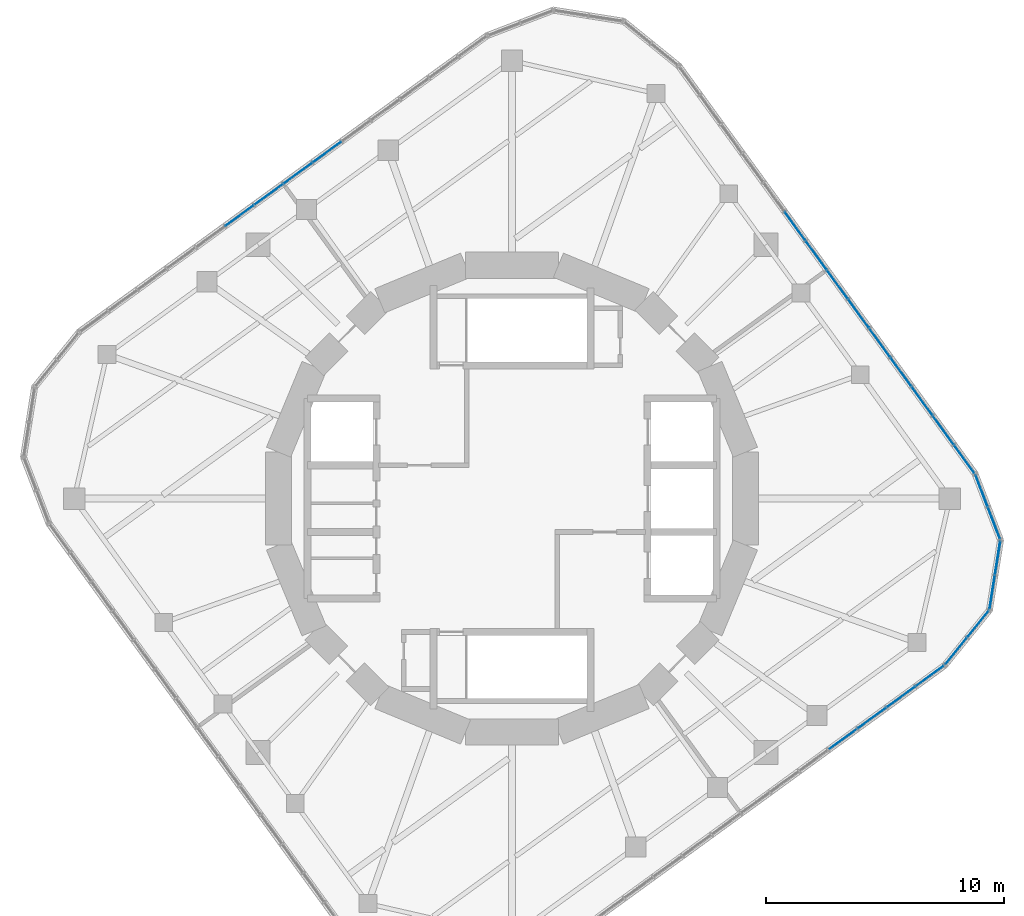
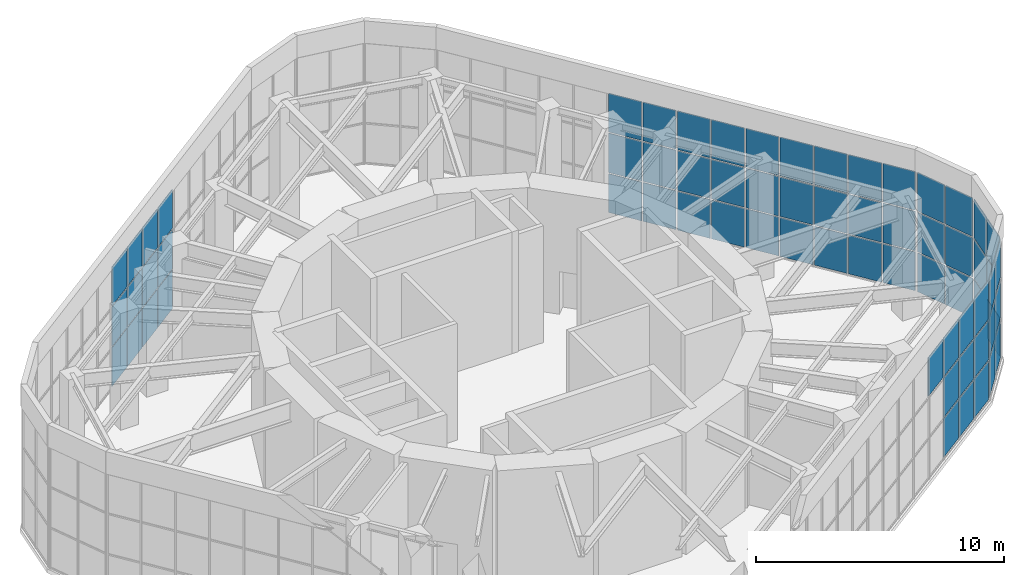
# One storey, part 13 of 17: 67 plates, 6 elements without a shape of their own.
"""IFC4 building model written with IfcOpenShell, lengths in metres."""

from ifc_helpers import new_model, si_unit, direction, frame, origin, origin_2d, place, context, subcontext, project, spatial, rectangle, extrude, material, layer, layer_set, type_object, element, aggregate, save


model = new_model("IFC4")

# Units and contexts
model_context = context("Model", 3, precision=1e-05, world=origin(), true_north=direction((0.0, 1.0)))
body_context = subcontext(model_context, "Body", "Model", "MODEL_VIEW")
ifc_project = project(units=[si_unit("LENGTHUNIT", "METRE"), si_unit("AREAUNIT", "SQUARE_METRE"), si_unit("VOLUMEUNIT", "CUBIC_METRE"), si_unit("PLANEANGLEUNIT", "RADIAN"), si_unit("MASSUNIT", "GRAM", prefix="KILO")], contexts=[model_context])

# Site, building, storey
site_placement = place(None, origin())
site = spatial("IfcSite", under=ifc_project, at=site_placement, CompositionType="ELEMENT")
building_placement = place(site_placement, origin())
building = spatial("IfcBuilding", under=site, at=building_placement, Name="Nakasero Lantern House", CompositionType="ELEMENT")
storey_placement = place(building_placement, frame((0.0, 0.0, 304.39990234375)))
storey = spatial("IfcBuildingStorey", under=building, at=storey_placement, Name="L74", CompositionType="ELEMENT", Elevation=304.39990234375)

# Curtain wall, plates
ifc_material_1 = material(Name="Aluminium 6063-T6 and glass", Category="aluminium")
curtain_wall_type = type_object("IfcCurtainWallType", Name="Lantern glazing CW-4", PredefinedType="USERDEFINED", material=ifc_material_1)
curtain_wall_1_placement = place(storey_placement, origin())
curtain_wall_1 = element("IfcCurtainWall", 1, at=curtain_wall_1_placement, inside=storey, type_object=curtain_wall_type, Name="Curtain wall CW-4 L74", ObjectType="UNITISED CURTAIN WALL", PredefinedType="USERDEFINED")
ifc_material_2 = material(Name="Glass", Category="glass")
ifc_layer = layer(ifc_material_2, 0.028076171875)
ifc_layer_set = layer_set([ifc_layer], Name="Glazed panel CW-4")
plate_type = type_object("IfcPlateType", Name="Glazed panel CW-4", PredefinedType="CURTAIN_PANEL", material=ifc_layer_set)
plate_1_placement = place(storey_placement, frame((19.004150390625, 1.659423828125, 0.06005859375), z_axis=(0.0, 0.0, 1.0), x_axis=(-0.587785252292, 0.809016994375, 0.0)))
plate_1 = element("IfcPlate", 2, at=plate_1_placement, type_object=plate_type, Name="CW-4 panel 1.1", PredefinedType="CURTAIN_PANEL", context=body_context, shape_type="SweptSolid", body=[
    extrude(rectangle(XDim=1.42431640625, YDim=0.028076171875, at=origin_2d()), origin(), (0.0, 0.0, 1.0), 1.909912109375),
])
plate_2_placement = place(storey_placement, frame((19.004150390625, 1.659423828125, 2.030029296875), z_axis=(0.0, 0.0, 1.0), x_axis=(-0.587785252292, 0.809016994375, 0.0)))
plate_2 = element("IfcPlate", 3, at=plate_2_placement, type_object=plate_type, Name="CW-4 panel 1.2", PredefinedType="CURTAIN_PANEL", context=body_context, shape_type="SweptSolid", body=[
    extrude(rectangle(XDim=1.42431640625, YDim=0.028076171875, at=origin_2d()), origin(), (0.0, 0.0, 1.0), 1.93994140625),
])
plate_3_placement = place(storey_placement, frame((19.004150390625, 1.659423828125, 4.0302734375), z_axis=(0.0, 0.0, 1.0), x_axis=(-0.587785252292, 0.809016994375, 0.0)))
plate_3 = element("IfcPlate", 4, at=plate_3_placement, type_object=plate_type, Name="CW-4 panel 1.3", PredefinedType="CURTAIN_PANEL", context=body_context, shape_type="SweptSolid", body=[
    extrude(rectangle(XDim=1.42431640625, YDim=0.028076171875, at=origin_2d()), origin(), (0.0, 0.0, 1.0), 1.909912109375),
])
plate_4_placement = place(storey_placement, frame((18.122802734375, 2.872314453125, 0.06005859375), z_axis=(0.0, 0.0, 1.0), x_axis=(-0.587785252292, 0.809016994375, 0.0)))
plate_4 = element("IfcPlate", 5, at=plate_4_placement, type_object=plate_type, Name="CW-4 panel 2.1", PredefinedType="CURTAIN_PANEL", context=body_context, shape_type="SweptSolid", body=[
    extrude(rectangle(XDim=1.454345703125, YDim=0.028076171875, at=origin_2d()), origin(), (0.0, 0.0, 1.0), 1.909912109375),
])
plate_5_placement = place(storey_placement, frame((18.122802734375, 2.872314453125, 2.030029296875), z_axis=(0.0, 0.0, 1.0), x_axis=(-0.587785252292, 0.809016994375, 0.0)))
plate_5 = element("IfcPlate", 6, at=plate_5_placement, type_object=plate_type, Name="CW-4 panel 2.2", PredefinedType="CURTAIN_PANEL", context=body_context, shape_type="SweptSolid", body=[
    extrude(rectangle(XDim=1.454345703125, YDim=0.028076171875, at=origin_2d()), origin(), (0.0, 0.0, 1.0), 1.93994140625),
])
plate_6_placement = place(storey_placement, frame((18.122802734375, 2.872314453125, 4.0302734375), z_axis=(0.0, 0.0, 1.0), x_axis=(-0.587785252292, 0.809016994375, 0.0)))
plate_6 = element("IfcPlate", 7, at=plate_6_placement, type_object=plate_type, Name="CW-4 panel 2.3", PredefinedType="CURTAIN_PANEL", context=body_context, shape_type="SweptSolid", body=[
    extrude(rectangle(XDim=1.454345703125, YDim=0.028076171875, at=origin_2d()), origin(), (0.0, 0.0, 1.0), 1.909912109375),
])
plate_7_placement = place(storey_placement, frame((17.232666015625, 4.097412109375, 0.06005859375), z_axis=(0.0, 0.0, 1.0), x_axis=(-0.587785252292, 0.809016994375, 0.0)))
plate_7 = element("IfcPlate", 8, at=plate_7_placement, type_object=plate_type, Name="CW-4 panel 3.1", PredefinedType="CURTAIN_PANEL", context=body_context, shape_type="SweptSolid", body=[
    extrude(rectangle(XDim=1.454345703125, YDim=0.028076171875, at=origin_2d()), origin(), (0.0, 0.0, 1.0), 1.909912109375),
])
plate_8_placement = place(storey_placement, frame((17.232666015625, 4.097412109375, 2.030029296875), z_axis=(0.0, 0.0, 1.0), x_axis=(-0.587785252292, 0.809016994375, 0.0)))
plate_8 = element("IfcPlate", 9, at=plate_8_placement, type_object=plate_type, Name="CW-4 panel 3.2", PredefinedType="CURTAIN_PANEL", context=body_context, shape_type="SweptSolid", body=[
    extrude(rectangle(XDim=1.454345703125, YDim=0.028076171875, at=origin_2d()), origin(), (0.0, 0.0, 1.0), 1.93994140625),
])
plate_9_placement = place(storey_placement, frame((17.232666015625, 4.097412109375, 4.0302734375), z_axis=(0.0, 0.0, 1.0), x_axis=(-0.587785252292, 0.809016994375, 0.0)))
plate_9 = element("IfcPlate", 10, at=plate_9_placement, type_object=plate_type, Name="CW-4 panel 3.3", PredefinedType="CURTAIN_PANEL", context=body_context, shape_type="SweptSolid", body=[
    extrude(rectangle(XDim=1.454345703125, YDim=0.028076171875, at=origin_2d()), origin(), (0.0, 0.0, 1.0), 1.909912109375),
])
plate_10_placement = place(storey_placement, frame((16.3427734375, 5.322509765625, 0.06005859375), z_axis=(0.0, 0.0, 1.0), x_axis=(-0.587785252292, 0.809016994375, 0.0)))
plate_10 = element("IfcPlate", 11, at=plate_10_placement, type_object=plate_type, Name="CW-4 panel 4.1", PredefinedType="CURTAIN_PANEL", context=body_context, shape_type="SweptSolid", body=[
    extrude(rectangle(XDim=1.454345703125, YDim=0.028076171875, at=origin_2d()), origin(), (0.0, 0.0, 1.0), 1.909912109375),
])
plate_11_placement = place(storey_placement, frame((16.3427734375, 5.322509765625, 2.030029296875), z_axis=(0.0, 0.0, 1.0), x_axis=(-0.587785252292, 0.809016994375, 0.0)))
plate_11 = element("IfcPlate", 12, at=plate_11_placement, type_object=plate_type, Name="CW-4 panel 4.2", PredefinedType="CURTAIN_PANEL", context=body_context, shape_type="SweptSolid", body=[
    extrude(rectangle(XDim=1.454345703125, YDim=0.028076171875, at=origin_2d()), origin(), (0.0, 0.0, 1.0), 1.93994140625),
])
plate_12_placement = place(storey_placement, frame((16.3427734375, 5.322509765625, 4.0302734375), z_axis=(0.0, 0.0, 1.0), x_axis=(-0.587785252292, 0.809016994375, 0.0)))
plate_12 = element("IfcPlate", 13, at=plate_12_placement, type_object=plate_type, Name="CW-4 panel 4.3", PredefinedType="CURTAIN_PANEL", context=body_context, shape_type="SweptSolid", body=[
    extrude(rectangle(XDim=1.454345703125, YDim=0.028076171875, at=origin_2d()), origin(), (0.0, 0.0, 1.0), 1.909912109375),
])
plate_13_placement = place(storey_placement, frame((15.45263671875, 6.547607421875, 0.06005859375), z_axis=(0.0, 0.0, 1.0), x_axis=(-0.587785252292, 0.809016994375, 0.0)))
plate_13 = element("IfcPlate", 14, at=plate_13_placement, type_object=plate_type, Name="CW-4 panel 5.1", PredefinedType="CURTAIN_PANEL", context=body_context, shape_type="SweptSolid", body=[
    extrude(rectangle(XDim=1.454345703125, YDim=0.028076171875, at=origin_2d()), origin(), (0.0, 0.0, 1.0), 1.909912109375),
])
plate_14_placement = place(storey_placement, frame((15.45263671875, 6.547607421875, 2.030029296875), z_axis=(0.0, 0.0, 1.0), x_axis=(-0.587785252292, 0.809016994375, 0.0)))
plate_14 = element("IfcPlate", 15, at=plate_14_placement, type_object=plate_type, Name="CW-4 panel 5.2", PredefinedType="CURTAIN_PANEL", context=body_context, shape_type="SweptSolid", body=[
    extrude(rectangle(XDim=1.454345703125, YDim=0.028076171875, at=origin_2d()), origin(), (0.0, 0.0, 1.0), 1.93994140625),
])
plate_15_placement = place(storey_placement, frame((15.45263671875, 6.547607421875, 4.0302734375), z_axis=(0.0, 0.0, 1.0), x_axis=(-0.587785252292, 0.809016994375, 0.0)))
plate_15 = element("IfcPlate", 16, at=plate_15_placement, type_object=plate_type, Name="CW-4 panel 5.3", PredefinedType="CURTAIN_PANEL", context=body_context, shape_type="SweptSolid", body=[
    extrude(rectangle(XDim=1.454345703125, YDim=0.028076171875, at=origin_2d()), origin(), (0.0, 0.0, 1.0), 1.909912109375),
])
plate_16_placement = place(storey_placement, frame((14.5625, 7.772705078125, 0.06005859375), z_axis=(0.0, 0.0, 1.0), x_axis=(-0.587785252292, 0.809016994375, 0.0)))
plate_16 = element("IfcPlate", 17, at=plate_16_placement, type_object=plate_type, Name="CW-4 panel 6.1", PredefinedType="CURTAIN_PANEL", context=body_context, shape_type="SweptSolid", body=[
    extrude(rectangle(XDim=1.454345703125, YDim=0.028076171875, at=origin_2d()), origin(), (0.0, 0.0, 1.0), 1.909912109375),
])
plate_17_placement = place(storey_placement, frame((14.5625, 7.772705078125, 2.030029296875), z_axis=(0.0, 0.0, 1.0), x_axis=(-0.587785252292, 0.809016994375, 0.0)))
plate_17 = element("IfcPlate", 18, at=plate_17_placement, type_object=plate_type, Name="CW-4 panel 6.2", PredefinedType="CURTAIN_PANEL", context=body_context, shape_type="SweptSolid", body=[
    extrude(rectangle(XDim=1.454345703125, YDim=0.028076171875, at=origin_2d()), origin(), (0.0, 0.0, 1.0), 1.93994140625),
])
plate_18_placement = place(storey_placement, frame((14.5625, 7.772705078125, 4.0302734375), z_axis=(0.0, 0.0, 1.0), x_axis=(-0.587785252292, 0.809016994375, 0.0)))
plate_18 = element("IfcPlate", 19, at=plate_18_placement, type_object=plate_type, Name="CW-4 panel 6.3", PredefinedType="CURTAIN_PANEL", context=body_context, shape_type="SweptSolid", body=[
    extrude(rectangle(XDim=1.454345703125, YDim=0.028076171875, at=origin_2d()), origin(), (0.0, 0.0, 1.0), 1.909912109375),
])
plate_19_placement = place(storey_placement, frame((13.67236328125, 8.997802734375, 0.06005859375), z_axis=(0.0, 0.0, 1.0), x_axis=(-0.587785252292, 0.809016994375, 0.0)))
plate_19 = element("IfcPlate", 20, at=plate_19_placement, type_object=plate_type, Name="CW-4 panel 7.1", PredefinedType="CURTAIN_PANEL", context=body_context, shape_type="SweptSolid", body=[
    extrude(rectangle(XDim=1.454345703125, YDim=0.028076171875, at=origin_2d()), origin(), (0.0, 0.0, 1.0), 1.909912109375),
])
plate_20_placement = place(storey_placement, frame((13.67236328125, 8.997802734375, 2.030029296875), z_axis=(0.0, 0.0, 1.0), x_axis=(-0.587785252292, 0.809016994375, 0.0)))
plate_20 = element("IfcPlate", 21, at=plate_20_placement, type_object=plate_type, Name="CW-4 panel 7.2", PredefinedType="CURTAIN_PANEL", context=body_context, shape_type="SweptSolid", body=[
    extrude(rectangle(XDim=1.454345703125, YDim=0.028076171875, at=origin_2d()), origin(), (0.0, 0.0, 1.0), 1.93994140625),
])
plate_21_placement = place(storey_placement, frame((13.67236328125, 8.997802734375, 4.0302734375), z_axis=(0.0, 0.0, 1.0), x_axis=(-0.587785252292, 0.809016994375, 0.0)))
plate_21 = element("IfcPlate", 22, at=plate_21_placement, type_object=plate_type, Name="CW-4 panel 7.3", PredefinedType="CURTAIN_PANEL", context=body_context, shape_type="SweptSolid", body=[
    extrude(rectangle(XDim=1.454345703125, YDim=0.028076171875, at=origin_2d()), origin(), (0.0, 0.0, 1.0), 1.909912109375),
])
plate_22_placement = place(storey_placement, frame((12.782470703125, 10.222900390625, 0.06005859375), z_axis=(0.0, 0.0, 1.0), x_axis=(-0.587785252292, 0.809016994375, 0.0)))
plate_22 = element("IfcPlate", 23, at=plate_22_placement, type_object=plate_type, Name="CW-4 panel 8.1", PredefinedType="CURTAIN_PANEL", context=body_context, shape_type="SweptSolid", body=[
    extrude(rectangle(XDim=1.454345703125, YDim=0.028076171875, at=origin_2d()), origin(), (0.0, 0.0, 1.0), 1.909912109375),
])
plate_23_placement = place(storey_placement, frame((12.782470703125, 10.222900390625, 2.030029296875), z_axis=(0.0, 0.0, 1.0), x_axis=(-0.587785252292, 0.809016994375, 0.0)))
plate_23 = element("IfcPlate", 24, at=plate_23_placement, type_object=plate_type, Name="CW-4 panel 8.2", PredefinedType="CURTAIN_PANEL", context=body_context, shape_type="SweptSolid", body=[
    extrude(rectangle(XDim=1.454345703125, YDim=0.028076171875, at=origin_2d()), origin(), (0.0, 0.0, 1.0), 1.93994140625),
])
plate_24_placement = place(storey_placement, frame((12.782470703125, 10.222900390625, 4.0302734375), z_axis=(0.0, 0.0, 1.0), x_axis=(-0.587785252292, 0.809016994375, 0.0)))
plate_24 = element("IfcPlate", 25, at=plate_24_placement, type_object=plate_type, Name="CW-4 panel 8.3", PredefinedType="CURTAIN_PANEL", context=body_context, shape_type="SweptSolid", body=[
    extrude(rectangle(XDim=1.454345703125, YDim=0.028076171875, at=origin_2d()), origin(), (0.0, 0.0, 1.0), 1.909912109375),
])
plate_25_placement = place(storey_placement, frame((11.892333984375, 11.447998046875, 0.06005859375), z_axis=(0.0, 0.0, 1.0), x_axis=(-0.587785252292, 0.809016994375, 0.0)))
plate_25 = element("IfcPlate", 26, at=plate_25_placement, type_object=plate_type, Name="CW-4 panel 9.1", PredefinedType="CURTAIN_PANEL", context=body_context, shape_type="SweptSolid", body=[
    extrude(rectangle(XDim=1.454345703125, YDim=0.028076171875, at=origin_2d()), origin(), (0.0, 0.0, 1.0), 1.909912109375),
])
plate_26_placement = place(storey_placement, frame((11.892333984375, 11.447998046875, 2.030029296875), z_axis=(0.0, 0.0, 1.0), x_axis=(-0.587785252292, 0.809016994375, 0.0)))
plate_26 = element("IfcPlate", 27, at=plate_26_placement, type_object=plate_type, Name="CW-4 panel 9.2", PredefinedType="CURTAIN_PANEL", context=body_context, shape_type="SweptSolid", body=[
    extrude(rectangle(XDim=1.454345703125, YDim=0.028076171875, at=origin_2d()), origin(), (0.0, 0.0, 1.0), 1.93994140625),
])
plate_27_placement = place(storey_placement, frame((11.892333984375, 11.447998046875, 4.0302734375), z_axis=(0.0, 0.0, 1.0), x_axis=(-0.587785252292, 0.809016994375, 0.0)))
plate_27 = element("IfcPlate", 28, at=plate_27_placement, type_object=plate_type, Name="CW-4 panel 9.3", PredefinedType="CURTAIN_PANEL", context=body_context, shape_type="SweptSolid", body=[
    extrude(rectangle(XDim=1.454345703125, YDim=0.028076171875, at=origin_2d()), origin(), (0.0, 0.0, 1.0), 1.909912109375),
])
aggregate(curtain_wall_1, [plate_1, plate_2, plate_3, plate_4, plate_5, plate_6, plate_7, plate_8, plate_9, plate_10, plate_11, plate_12, plate_13, plate_14, plate_15, plate_16, plate_17, plate_18, plate_19, plate_20, plate_21, plate_22, plate_23, plate_24, plate_25, plate_26, plate_27])

curtain_wall_2_placement = place(storey_placement, origin())
curtain_wall_2 = element("IfcCurtainWall", 29, at=curtain_wall_2_placement, inside=storey, type_object=curtain_wall_type, Name="Curtain wall CW-4 L74", ObjectType="UNITISED CURTAIN WALL", PredefinedType="USERDEFINED")
plate_28_placement = place(storey_placement, frame((-7.772705078125, 14.5625, 0.06005859375), z_axis=(0.0, 0.0, 1.0), x_axis=(-0.809016994375, -0.587785252292, 0.0)))
plate_28 = element("IfcPlate", 30, at=plate_28_placement, type_object=plate_type, Name="CW-4 panel 6.1", PredefinedType="CURTAIN_PANEL", context=body_context, shape_type="SweptSolid", body=[
    extrude(rectangle(XDim=1.454345703125, YDim=0.028076171875, at=origin_2d()), origin(), (0.0, 0.0, 1.0), 1.909912109375),
])
plate_29_placement = place(storey_placement, frame((-7.772705078125, 14.5625, 2.030029296875), z_axis=(0.0, 0.0, 1.0), x_axis=(-0.809016994375, -0.587785252292, 0.0)))
plate_29 = element("IfcPlate", 31, at=plate_29_placement, type_object=plate_type, Name="CW-4 panel 6.2", PredefinedType="CURTAIN_PANEL", context=body_context, shape_type="SweptSolid", body=[
    extrude(rectangle(XDim=1.454345703125, YDim=0.028076171875, at=origin_2d()), origin(), (0.0, 0.0, 1.0), 1.93994140625),
])
plate_30_placement = place(storey_placement, frame((-7.772705078125, 14.5625, 4.0302734375), z_axis=(0.0, 0.0, 1.0), x_axis=(-0.809016994375, -0.587785252292, 0.0)))
plate_30 = element("IfcPlate", 32, at=plate_30_placement, type_object=plate_type, Name="CW-4 panel 6.3", PredefinedType="CURTAIN_PANEL", context=body_context, shape_type="SweptSolid", body=[
    extrude(rectangle(XDim=1.454345703125, YDim=0.028076171875, at=origin_2d()), origin(), (0.0, 0.0, 1.0), 1.909912109375),
])
plate_31_placement = place(storey_placement, frame((-8.997802734375, 13.67236328125, 0.06005859375), z_axis=(0.0, 0.0, 1.0), x_axis=(-0.809016994375, -0.587785252292, 0.0)))
plate_31 = element("IfcPlate", 33, at=plate_31_placement, type_object=plate_type, Name="CW-4 panel 7.1", PredefinedType="CURTAIN_PANEL", context=body_context, shape_type="SweptSolid", body=[
    extrude(rectangle(XDim=1.454345703125, YDim=0.028076171875, at=origin_2d()), origin(), (0.0, 0.0, 1.0), 1.909912109375),
])
plate_32_placement = place(storey_placement, frame((-8.997802734375, 13.67236328125, 2.030029296875), z_axis=(0.0, 0.0, 1.0), x_axis=(-0.809016994375, -0.587785252292, 0.0)))
plate_32 = element("IfcPlate", 34, at=plate_32_placement, type_object=plate_type, Name="CW-4 panel 7.2", PredefinedType="CURTAIN_PANEL", context=body_context, shape_type="SweptSolid", body=[
    extrude(rectangle(XDim=1.454345703125, YDim=0.028076171875, at=origin_2d()), origin(), (0.0, 0.0, 1.0), 1.93994140625),
])
plate_33_placement = place(storey_placement, frame((-8.997802734375, 13.67236328125, 4.0302734375), z_axis=(0.0, 0.0, 1.0), x_axis=(-0.809016994375, -0.587785252292, 0.0)))
plate_33 = element("IfcPlate", 35, at=plate_33_placement, type_object=plate_type, Name="CW-4 panel 7.3", PredefinedType="CURTAIN_PANEL", context=body_context, shape_type="SweptSolid", body=[
    extrude(rectangle(XDim=1.454345703125, YDim=0.028076171875, at=origin_2d()), origin(), (0.0, 0.0, 1.0), 1.909912109375),
])
plate_34_placement = place(storey_placement, frame((-10.222900390625, 12.782470703125, 0.06005859375), z_axis=(0.0, 0.0, 1.0), x_axis=(-0.809016994375, -0.587785252292, 0.0)))
plate_34 = element("IfcPlate", 36, at=plate_34_placement, type_object=plate_type, Name="CW-4 panel 8.1", PredefinedType="CURTAIN_PANEL", context=body_context, shape_type="SweptSolid", body=[
    extrude(rectangle(XDim=1.454345703125, YDim=0.028076171875, at=origin_2d()), origin(), (0.0, 0.0, 1.0), 1.909912109375),
])
plate_35_placement = place(storey_placement, frame((-10.222900390625, 12.782470703125, 2.030029296875), z_axis=(0.0, 0.0, 1.0), x_axis=(-0.809016994375, -0.587785252292, 0.0)))
plate_35 = element("IfcPlate", 37, at=plate_35_placement, type_object=plate_type, Name="CW-4 panel 8.2", PredefinedType="CURTAIN_PANEL", context=body_context, shape_type="SweptSolid", body=[
    extrude(rectangle(XDim=1.454345703125, YDim=0.028076171875, at=origin_2d()), origin(), (0.0, 0.0, 1.0), 1.93994140625),
])
plate_36_placement = place(storey_placement, frame((-10.222900390625, 12.782470703125, 4.0302734375), z_axis=(0.0, 0.0, 1.0), x_axis=(-0.809016994375, -0.587785252292, 0.0)))
plate_36 = element("IfcPlate", 38, at=plate_36_placement, type_object=plate_type, Name="CW-4 panel 8.3", PredefinedType="CURTAIN_PANEL", context=body_context, shape_type="SweptSolid", body=[
    extrude(rectangle(XDim=1.454345703125, YDim=0.028076171875, at=origin_2d()), origin(), (0.0, 0.0, 1.0), 1.909912109375),
])
plate_37_placement = place(storey_placement, frame((-11.447998046875, 11.892333984375, 0.06005859375), z_axis=(0.0, 0.0, 1.0), x_axis=(-0.809016994375, -0.587785252292, 0.0)))
plate_37 = element("IfcPlate", 39, at=plate_37_placement, type_object=plate_type, Name="CW-4 panel 9.1", PredefinedType="CURTAIN_PANEL", context=body_context, shape_type="SweptSolid", body=[
    extrude(rectangle(XDim=1.454345703125, YDim=0.028076171875, at=origin_2d()), origin(), (0.0, 0.0, 1.0), 1.909912109375),
])
plate_38_placement = place(storey_placement, frame((-11.447998046875, 11.892333984375, 2.030029296875), z_axis=(0.0, 0.0, 1.0), x_axis=(-0.809016994375, -0.587785252292, 0.0)))
plate_38 = element("IfcPlate", 40, at=plate_38_placement, type_object=plate_type, Name="CW-4 panel 9.2", PredefinedType="CURTAIN_PANEL", context=body_context, shape_type="SweptSolid", body=[
    extrude(rectangle(XDim=1.454345703125, YDim=0.028076171875, at=origin_2d()), origin(), (0.0, 0.0, 1.0), 1.93994140625),
])
plate_39_placement = place(storey_placement, frame((-11.447998046875, 11.892333984375, 4.0302734375), z_axis=(0.0, 0.0, 1.0), x_axis=(-0.809016994375, -0.587785252292, 0.0)))
plate_39 = element("IfcPlate", 41, at=plate_39_placement, type_object=plate_type, Name="CW-4 panel 9.3", PredefinedType="CURTAIN_PANEL", context=body_context, shape_type="SweptSolid", body=[
    extrude(rectangle(XDim=1.454345703125, YDim=0.028076171875, at=origin_2d()), origin(), (0.0, 0.0, 1.0), 1.909912109375),
])
aggregate(curtain_wall_2, [plate_28, plate_29, plate_30, plate_31, plate_32, plate_33, plate_34, plate_35, plate_36, plate_37, plate_38, plate_39])

curtain_wall_3_placement = place(storey_placement, origin())
curtain_wall_3 = element("IfcCurtainWall", 42, at=curtain_wall_3_placement, inside=storey, type_object=curtain_wall_type, Name="Curtain wall CW-4 L74", ObjectType="UNITISED CURTAIN WALL", PredefinedType="USERDEFINED")
plate_40_placement = place(storey_placement, frame((13.898193359375, -10.112060546875, 4.0302734375), z_axis=(0.0, 0.0, 1.0), x_axis=(0.809016994375, 0.587785252292, 0.0)))
plate_40 = element("IfcPlate", 43, at=plate_40_placement, type_object=plate_type, Name="CW-4 panel 11.3", PredefinedType="CURTAIN_PANEL", context=body_context, shape_type="SweptSolid", body=[
    extrude(rectangle(XDim=1.454345703125, YDim=0.028076171875, at=origin_2d()), origin(), (0.0, 0.0, 1.0), 1.909912109375),
])
plate_41_placement = place(storey_placement, frame((15.123046875, -9.22216796875, 0.06005859375), z_axis=(0.0, 0.0, 1.0), x_axis=(0.809016994375, 0.587785252292, 0.0)))
plate_41 = element("IfcPlate", 44, at=plate_41_placement, type_object=plate_type, Name="CW-4 panel 12.1", PredefinedType="CURTAIN_PANEL", context=body_context, shape_type="SweptSolid", body=[
    extrude(rectangle(XDim=1.454345703125, YDim=0.028076171875, at=origin_2d()), origin(), (0.0, 0.0, 1.0), 1.909912109375),
])
plate_42_placement = place(storey_placement, frame((15.123046875, -9.22216796875, 2.030029296875), z_axis=(0.0, 0.0, 1.0), x_axis=(0.809016994375, 0.587785252292, 0.0)))
plate_42 = element("IfcPlate", 45, at=plate_42_placement, type_object=plate_type, Name="CW-4 panel 12.2", PredefinedType="CURTAIN_PANEL", context=body_context, shape_type="SweptSolid", body=[
    extrude(rectangle(XDim=1.454345703125, YDim=0.028076171875, at=origin_2d()), origin(), (0.0, 0.0, 1.0), 1.93994140625),
])
plate_43_placement = place(storey_placement, frame((15.123046875, -9.22216796875, 4.0302734375), z_axis=(0.0, 0.0, 1.0), x_axis=(0.809016994375, 0.587785252292, 0.0)))
plate_43 = element("IfcPlate", 46, at=plate_43_placement, type_object=plate_type, Name="CW-4 panel 12.3", PredefinedType="CURTAIN_PANEL", context=body_context, shape_type="SweptSolid", body=[
    extrude(rectangle(XDim=1.454345703125, YDim=0.028076171875, at=origin_2d()), origin(), (0.0, 0.0, 1.0), 1.909912109375),
])
plate_44_placement = place(storey_placement, frame((16.34814453125, -8.33203125, 0.06005859375), z_axis=(0.0, 0.0, 1.0), x_axis=(0.809016994375, 0.587785252292, 0.0)))
plate_44 = element("IfcPlate", 47, at=plate_44_placement, type_object=plate_type, Name="CW-4 panel 13.1", PredefinedType="CURTAIN_PANEL", context=body_context, shape_type="SweptSolid", body=[
    extrude(rectangle(XDim=1.454345703125, YDim=0.028076171875, at=origin_2d()), origin(), (0.0, 0.0, 1.0), 1.909912109375),
])
plate_45_placement = place(storey_placement, frame((16.34814453125, -8.33203125, 2.030029296875), z_axis=(0.0, 0.0, 1.0), x_axis=(0.809016994375, 0.587785252292, 0.0)))
plate_45 = element("IfcPlate", 48, at=plate_45_placement, type_object=plate_type, Name="CW-4 panel 13.2", PredefinedType="CURTAIN_PANEL", context=body_context, shape_type="SweptSolid", body=[
    extrude(rectangle(XDim=1.454345703125, YDim=0.028076171875, at=origin_2d()), origin(), (0.0, 0.0, 1.0), 1.93994140625),
])
plate_46_placement = place(storey_placement, frame((16.34814453125, -8.33203125, 4.0302734375), z_axis=(0.0, 0.0, 1.0), x_axis=(0.809016994375, 0.587785252292, 0.0)))
plate_46 = element("IfcPlate", 49, at=plate_46_placement, type_object=plate_type, Name="CW-4 panel 13.3", PredefinedType="CURTAIN_PANEL", context=body_context, shape_type="SweptSolid", body=[
    extrude(rectangle(XDim=1.454345703125, YDim=0.028076171875, at=origin_2d()), origin(), (0.0, 0.0, 1.0), 1.909912109375),
])
plate_47_placement = place(storey_placement, frame((17.561279296875, -7.45068359375, 0.06005859375), z_axis=(0.0, 0.0, 1.0), x_axis=(0.809016994375, 0.587785252292, 0.0)))
plate_47 = element("IfcPlate", 50, at=plate_47_placement, type_object=plate_type, Name="CW-4 panel 14.1", PredefinedType="CURTAIN_PANEL", context=body_context, shape_type="SweptSolid", body=[
    extrude(rectangle(XDim=1.42431640625, YDim=0.028076171875, at=origin_2d()), origin(), (0.0, 0.0, 1.0), 1.909912109375),
])
plate_48_placement = place(storey_placement, frame((17.561279296875, -7.45068359375, 2.030029296875), z_axis=(0.0, 0.0, 1.0), x_axis=(0.809016994375, 0.587785252292, 0.0)))
plate_48 = element("IfcPlate", 51, at=plate_48_placement, type_object=plate_type, Name="CW-4 panel 14.2", PredefinedType="CURTAIN_PANEL", context=body_context, shape_type="SweptSolid", body=[
    extrude(rectangle(XDim=1.42431640625, YDim=0.028076171875, at=origin_2d()), origin(), (0.0, 0.0, 1.0), 1.93994140625),
])
plate_49_placement = place(storey_placement, frame((17.561279296875, -7.45068359375, 4.0302734375), z_axis=(0.0, 0.0, 1.0), x_axis=(0.809016994375, 0.587785252292, 0.0)))
plate_49 = element("IfcPlate", 52, at=plate_49_placement, type_object=plate_type, Name="CW-4 panel 14.3", PredefinedType="CURTAIN_PANEL", context=body_context, shape_type="SweptSolid", body=[
    extrude(rectangle(XDim=1.42431640625, YDim=0.028076171875, at=origin_2d()), origin(), (0.0, 0.0, 1.0), 1.909912109375),
])
aggregate(curtain_wall_3, [plate_40, plate_41, plate_42, plate_43, plate_44, plate_45, plate_46, plate_47, plate_48, plate_49])

curtain_wall_4_placement = place(storey_placement, origin())
curtain_wall_4 = element("IfcCurtainWall", 53, at=curtain_wall_4_placement, inside=storey, type_object=curtain_wall_type, Name="Curtain wall CW-4 L74", ObjectType="UNITISED CURTAIN WALL", PredefinedType="USERDEFINED")
plate_50_placement = place(storey_placement, frame((18.66357421875, -6.406982421875, 0.06005859375), z_axis=(0.0, 0.0, 1.0), x_axis=(0.629320391091, 0.777145961424, 0.0)))
plate_50 = element("IfcPlate", 54, at=plate_50_placement, type_object=plate_type, Name="CW-4 panel 1.1", PredefinedType="CURTAIN_PANEL", context=body_context, shape_type="SweptSolid", body=[
    extrude(rectangle(XDim=1.398193359375, YDim=0.028076171875, at=origin_2d()), origin(), (0.0, 0.0, 1.0), 1.909912109375),
])
plate_51_placement = place(storey_placement, frame((18.66357421875, -6.406982421875, 2.030029296875), z_axis=(0.0, 0.0, 1.0), x_axis=(0.629320391091, 0.777145961424, 0.0)))
plate_51 = element("IfcPlate", 55, at=plate_51_placement, type_object=plate_type, Name="CW-4 panel 1.2", PredefinedType="CURTAIN_PANEL", context=body_context, shape_type="SweptSolid", body=[
    extrude(rectangle(XDim=1.398193359375, YDim=0.028076171875, at=origin_2d()), origin(), (0.0, 0.0, 1.0), 1.93994140625),
])
plate_52_placement = place(storey_placement, frame((18.66357421875, -6.406982421875, 4.0302734375), z_axis=(0.0, 0.0, 1.0), x_axis=(0.629320391091, 0.777145961424, 0.0)))
plate_52 = element("IfcPlate", 56, at=plate_52_placement, type_object=plate_type, Name="CW-4 panel 1.3", PredefinedType="CURTAIN_PANEL", context=body_context, shape_type="SweptSolid", body=[
    extrude(rectangle(XDim=1.398193359375, YDim=0.028076171875, at=origin_2d()), origin(), (0.0, 0.0, 1.0), 1.909912109375),
])
plate_53_placement = place(storey_placement, frame((19.581298828125, -5.273681640625, 0.06005859375), z_axis=(0.0, 0.0, 1.0), x_axis=(0.629320391091, 0.777145961424, 0.0)))
plate_53 = element("IfcPlate", 57, at=plate_53_placement, type_object=plate_type, Name="CW-4 panel 2.1", PredefinedType="CURTAIN_PANEL", context=body_context, shape_type="SweptSolid", body=[
    extrude(rectangle(XDim=1.398193359375, YDim=0.028076171875, at=origin_2d()), origin(), (0.0, 0.0, 1.0), 1.909912109375),
])
plate_54_placement = place(storey_placement, frame((19.581298828125, -5.273681640625, 2.030029296875), z_axis=(0.0, 0.0, 1.0), x_axis=(0.629320391091, 0.777145961424, 0.0)))
plate_54 = element("IfcPlate", 58, at=plate_54_placement, type_object=plate_type, Name="CW-4 panel 2.2", PredefinedType="CURTAIN_PANEL", context=body_context, shape_type="SweptSolid", body=[
    extrude(rectangle(XDim=1.398193359375, YDim=0.028076171875, at=origin_2d()), origin(), (0.0, 0.0, 1.0), 1.93994140625),
])
plate_55_placement = place(storey_placement, frame((19.581298828125, -5.273681640625, 4.0302734375), z_axis=(0.0, 0.0, 1.0), x_axis=(0.629320391091, 0.777145961424, 0.0)))
plate_55 = element("IfcPlate", 59, at=plate_55_placement, type_object=plate_type, Name="CW-4 panel 2.3", PredefinedType="CURTAIN_PANEL", context=body_context, shape_type="SweptSolid", body=[
    extrude(rectangle(XDim=1.398193359375, YDim=0.028076171875, at=origin_2d()), origin(), (0.0, 0.0, 1.0), 1.909912109375),
])
aggregate(curtain_wall_4, [plate_50, plate_51, plate_52, plate_53, plate_54, plate_55])

curtain_wall_5_placement = place(storey_placement, origin())
curtain_wall_5 = element("IfcCurtainWall", 60, at=curtain_wall_5_placement, inside=storey, type_object=curtain_wall_type, Name="Curtain wall CW-4 L74", ObjectType="UNITISED CURTAIN WALL", PredefinedType="USERDEFINED")
plate_56_placement = place(storey_placement, frame((20.177734375, -3.93408203125, 0.06005859375), z_axis=(0.0, 0.0, 1.0), x_axis=(0.15643446504, 0.987688340595, 0.0)))
plate_56 = element("IfcPlate", 61, at=plate_56_placement, type_object=plate_type, Name="CW-4 panel 1.1", PredefinedType="CURTAIN_PANEL", context=body_context, shape_type="SweptSolid", body=[
    extrude(rectangle(XDim=1.398193359375, YDim=0.028076171875, at=origin_2d()), origin(), (0.0, 0.0, 1.0), 1.909912109375),
])
plate_57_placement = place(storey_placement, frame((20.177734375, -3.93408203125, 2.030029296875), z_axis=(0.0, 0.0, 1.0), x_axis=(0.15643446504, 0.987688340595, 0.0)))
plate_57 = element("IfcPlate", 62, at=plate_57_placement, type_object=plate_type, Name="CW-4 panel 1.2", PredefinedType="CURTAIN_PANEL", context=body_context, shape_type="SweptSolid", body=[
    extrude(rectangle(XDim=1.398193359375, YDim=0.028076171875, at=origin_2d()), origin(), (0.0, 0.0, 1.0), 1.93994140625),
])
plate_58_placement = place(storey_placement, frame((20.177734375, -3.93408203125, 4.0302734375), z_axis=(0.0, 0.0, 1.0), x_axis=(0.15643446504, 0.987688340595, 0.0)))
plate_58 = element("IfcPlate", 63, at=plate_58_placement, type_object=plate_type, Name="CW-4 panel 1.3", PredefinedType="CURTAIN_PANEL", context=body_context, shape_type="SweptSolid", body=[
    extrude(rectangle(XDim=1.398193359375, YDim=0.028076171875, at=origin_2d()), origin(), (0.0, 0.0, 1.0), 1.909912109375),
])
plate_59_placement = place(storey_placement, frame((20.40576171875, -2.493896484375, 0.06005859375), z_axis=(0.0, 0.0, 1.0), x_axis=(0.15643446504, 0.987688340595, 0.0)))
plate_59 = element("IfcPlate", 64, at=plate_59_placement, type_object=plate_type, Name="CW-4 panel 2.1", PredefinedType="CURTAIN_PANEL", context=body_context, shape_type="SweptSolid", body=[
    extrude(rectangle(XDim=1.398193359375, YDim=0.028076171875, at=origin_2d()), origin(), (0.0, 0.0, 1.0), 1.909912109375),
])
plate_60_placement = place(storey_placement, frame((20.40576171875, -2.493896484375, 2.030029296875), z_axis=(0.0, 0.0, 1.0), x_axis=(0.15643446504, 0.987688340595, 0.0)))
plate_60 = element("IfcPlate", 65, at=plate_60_placement, type_object=plate_type, Name="CW-4 panel 2.2", PredefinedType="CURTAIN_PANEL", context=body_context, shape_type="SweptSolid", body=[
    extrude(rectangle(XDim=1.398193359375, YDim=0.028076171875, at=origin_2d()), origin(), (0.0, 0.0, 1.0), 1.93994140625),
])
plate_61_placement = place(storey_placement, frame((20.40576171875, -2.493896484375, 4.0302734375), z_axis=(0.0, 0.0, 1.0), x_axis=(0.15643446504, 0.987688340595, 0.0)))
plate_61 = element("IfcPlate", 66, at=plate_61_placement, type_object=plate_type, Name="CW-4 panel 2.3", PredefinedType="CURTAIN_PANEL", context=body_context, shape_type="SweptSolid", body=[
    extrude(rectangle(XDim=1.398193359375, YDim=0.028076171875, at=origin_2d()), origin(), (0.0, 0.0, 1.0), 1.909912109375),
])
aggregate(curtain_wall_5, [plate_56, plate_57, plate_58, plate_59, plate_60, plate_61])

curtain_wall_6_placement = place(storey_placement, origin())
curtain_wall_6 = element("IfcCurtainWall", 67, at=curtain_wall_6_placement, inside=storey, type_object=curtain_wall_type, Name="Curtain wall CW-4 L74", ObjectType="UNITISED CURTAIN WALL", PredefinedType="USERDEFINED")
plate_62_placement = place(storey_placement, frame((20.252685546875, -1.035400390625, 0.06005859375), z_axis=(0.0, 0.0, 1.0), x_axis=(-0.35836794961, 0.933580426472, 0.0)))
plate_62 = element("IfcPlate", 68, at=plate_62_placement, type_object=plate_type, Name="CW-4 panel 1.1", PredefinedType="CURTAIN_PANEL", context=body_context, shape_type="SweptSolid", body=[
    extrude(rectangle(XDim=1.398193359375, YDim=0.028076171875, at=origin_2d()), origin(), (0.0, 0.0, 1.0), 1.909912109375),
])
plate_63_placement = place(storey_placement, frame((20.252685546875, -1.035400390625, 2.030029296875), z_axis=(0.0, 0.0, 1.0), x_axis=(-0.35836794961, 0.933580426472, 0.0)))
plate_63 = element("IfcPlate", 69, at=plate_63_placement, type_object=plate_type, Name="CW-4 panel 1.2", PredefinedType="CURTAIN_PANEL", context=body_context, shape_type="SweptSolid", body=[
    extrude(rectangle(XDim=1.398193359375, YDim=0.028076171875, at=origin_2d()), origin(), (0.0, 0.0, 1.0), 1.93994140625),
])
plate_64_placement = place(storey_placement, frame((20.252685546875, -1.035400390625, 4.0302734375), z_axis=(0.0, 0.0, 1.0), x_axis=(-0.35836794961, 0.933580426472, 0.0)))
plate_64 = element("IfcPlate", 70, at=plate_64_placement, type_object=plate_type, Name="CW-4 panel 1.3", PredefinedType="CURTAIN_PANEL", context=body_context, shape_type="SweptSolid", body=[
    extrude(rectangle(XDim=1.398193359375, YDim=0.028076171875, at=origin_2d()), origin(), (0.0, 0.0, 1.0), 1.909912109375),
])
plate_65_placement = place(storey_placement, frame((19.72998046875, 0.325927734375, 0.06005859375), z_axis=(0.0, 0.0, 1.0), x_axis=(-0.35836794961, 0.933580426472, 0.0)))
plate_65 = element("IfcPlate", 71, at=plate_65_placement, type_object=plate_type, Name="CW-4 panel 2.1", PredefinedType="CURTAIN_PANEL", context=body_context, shape_type="SweptSolid", body=[
    extrude(rectangle(XDim=1.398193359375, YDim=0.028076171875, at=origin_2d()), origin(), (0.0, 0.0, 1.0), 1.909912109375),
])
plate_66_placement = place(storey_placement, frame((19.72998046875, 0.325927734375, 2.030029296875), z_axis=(0.0, 0.0, 1.0), x_axis=(-0.35836794961, 0.933580426472, 0.0)))
plate_66 = element("IfcPlate", 72, at=plate_66_placement, type_object=plate_type, Name="CW-4 panel 2.2", PredefinedType="CURTAIN_PANEL", context=body_context, shape_type="SweptSolid", body=[
    extrude(rectangle(XDim=1.398193359375, YDim=0.028076171875, at=origin_2d()), origin(), (0.0, 0.0, 1.0), 1.93994140625),
])
plate_67_placement = place(storey_placement, frame((19.72998046875, 0.325927734375, 4.0302734375), z_axis=(0.0, 0.0, 1.0), x_axis=(-0.35836794961, 0.933580426472, 0.0)))
plate_67 = element("IfcPlate", 73, at=plate_67_placement, type_object=plate_type, Name="CW-4 panel 2.3", PredefinedType="CURTAIN_PANEL", context=body_context, shape_type="SweptSolid", body=[
    extrude(rectangle(XDim=1.398193359375, YDim=0.028076171875, at=origin_2d()), origin(), (0.0, 0.0, 1.0), 1.909912109375),
])
aggregate(curtain_wall_6, [plate_62, plate_63, plate_64, plate_65, plate_66, plate_67])

save(model, "model.ifc")
